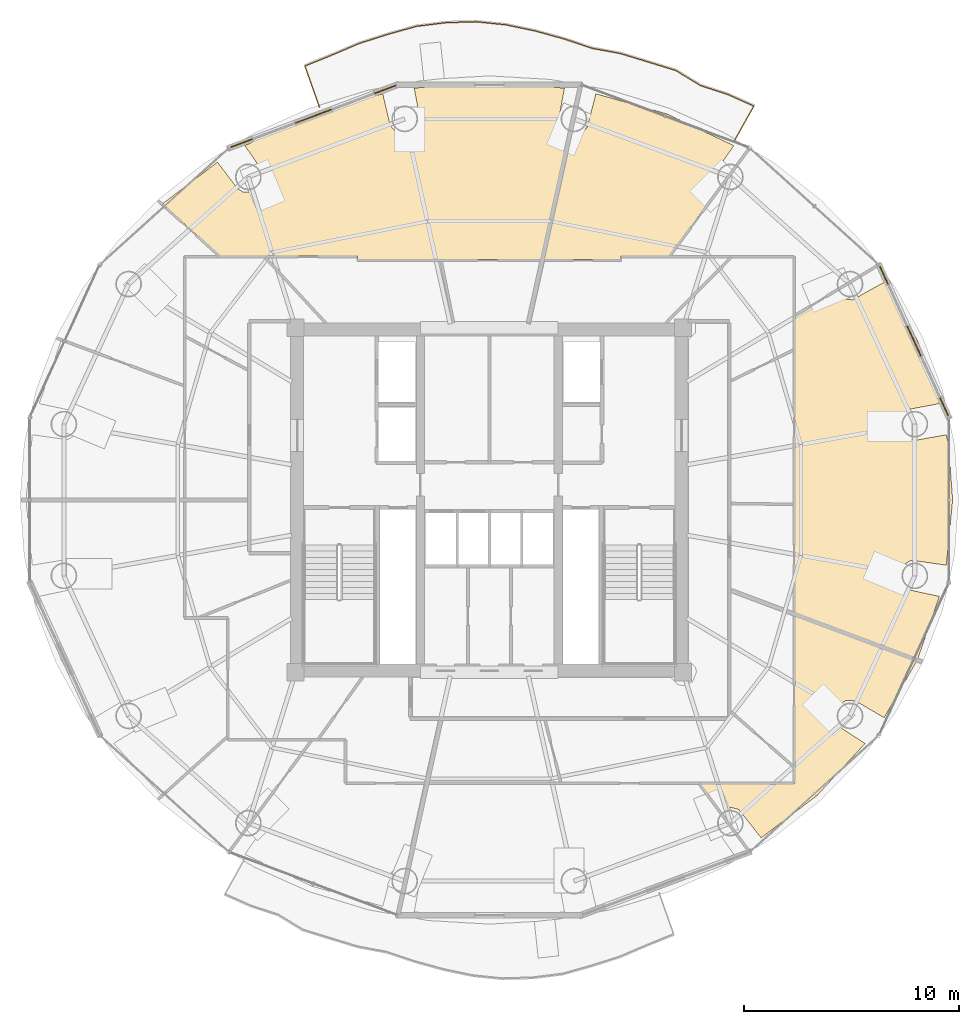
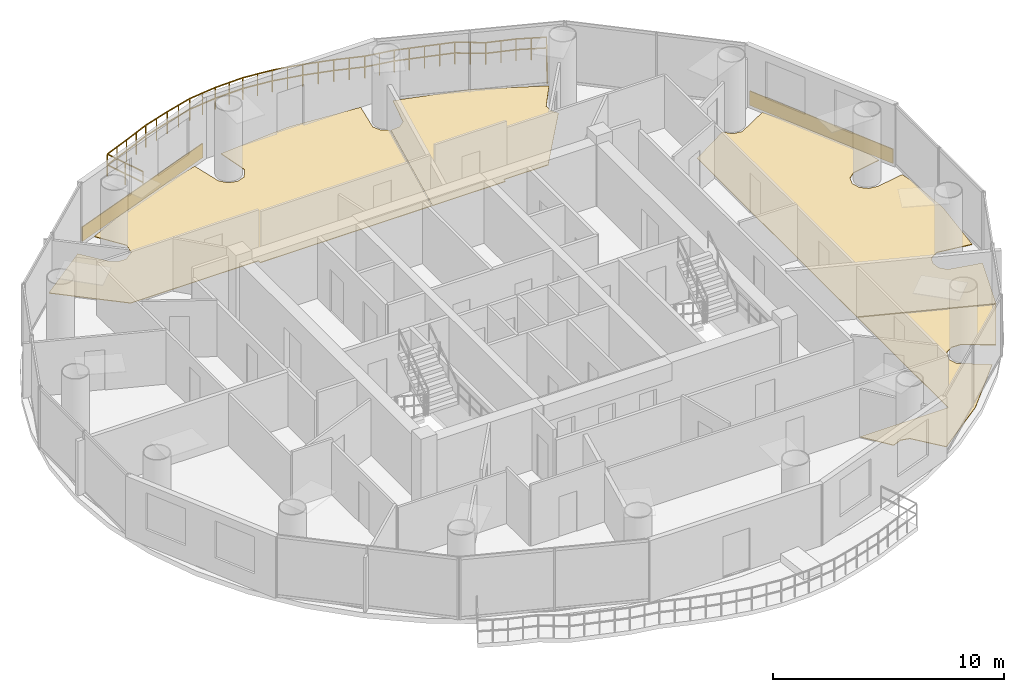
# One storey, part 26 of 26: 6 coverings, 1 railing.
"""IFC4 building model written with IfcOpenShell, lengths in metres."""

from ifc_helpers import new_model, si_unit, direction, frame, origin, origin_2d, place, context, subcontext, project, spatial, polyline, rectangle, outline, extrude, source, transform, mapped, material, layer, layer_set, type_object, element, save


model = new_model("IFC4")

# Units and contexts
model_context = context("Model", 3, precision=1e-05, world=origin(), true_north=direction((-0.2419218956, 0.970295726276)))
body_context = subcontext(model_context, "Body", "Model", "MODEL_VIEW")
ifc_project = project(units=[si_unit("LENGTHUNIT", "METRE"), si_unit("AREAUNIT", "SQUARE_METRE"), si_unit("VOLUMEUNIT", "CUBIC_METRE"), si_unit("PLANEANGLEUNIT", "RADIAN"), si_unit("MASSUNIT", "GRAM", prefix="KILO")], contexts=[model_context])

# Site, building, storey
site_placement = place(None, origin())
site = spatial("IfcSite", under=ifc_project, at=site_placement, CompositionType="ELEMENT")
building_placement = place(site_placement, origin())
building = spatial("IfcBuilding", under=site, at=building_placement, Name="Cobrevalo Terracotta Tower", CompositionType="ELEMENT")
storey_placement = place(building_placement, frame((0.0, 0.0, 239.300048828125)))
storey = spatial("IfcBuildingStorey", under=building, at=storey_placement, Name="L63", CompositionType="ELEMENT", Elevation=239.300048828125)

# Railing
ifc_material_1 = material(Name="Laminated structural glass and stainless steel", Category="steel")
railing_type = type_object("IfcRailingType", Name="Balcony lobe structural glass & terracotta-cap balustrade 1180 mm", PredefinedType="BALUSTRADE", material=ifc_material_1)
railing_placement = place(storey_placement, frame((49.377197265625, 43.467529296875, 0.0)))
element("IfcRailing", 1, at=railing_placement, inside=storey, type_object=railing_type, Name="L63 spiralling balcony lobe balustrade 1", PredefinedType="BALUSTRADE", context=body_context, shape_type="SweptSolid", body=[
    extrude(rectangle(XDim=0.048095703125, YDim=0.048095703125, at=origin_2d()), frame((0.0, 0.0, 1.15576171875), z_axis=(0.487240940684, 0.873267579681, 0.0), x_axis=(-0.873267579681, 0.487240940684, 0.0)), (0.0, 0.0, 1.0), 1.866943359375),
    extrude(rectangle(XDim=0.048095703125, YDim=0.048095703125, at=origin_2d()), frame((0.0, 0.0, 0.58984375), z_axis=(0.487240940684, 0.873267579681, 0.0), x_axis=(-0.873267579681, 0.487240940684, 0.0)), (0.0, 0.0, 1.0), 1.866943359375),
    extrude(rectangle(XDim=0.048095703125, YDim=0.048095703125, at=origin_2d()), frame((0.90966796875, 1.63037109375, 1.15576171875), z_axis=(-0.913103587946, 0.407727651357, 0.0), x_axis=(-0.407727651357, -0.913103587946, 0.0)), (0.0, 0.0, 1.0), 1.3251953125),
    extrude(rectangle(XDim=0.048095703125, YDim=0.048095703125, at=origin_2d()), frame((0.90966796875, 1.63037109375, 0.58984375), z_axis=(-0.913103587946, 0.407727651357, 0.0), x_axis=(-0.407727651357, -0.913103587946, 0.0)), (0.0, 0.0, 1.0), 1.3251953125),
    extrude(rectangle(XDim=0.048095703125, YDim=0.048095703125, at=origin_2d()), frame((-0.30029296875, 2.170654296875, 1.15576171875), z_axis=(-0.950714582624, 0.310067383622, 0.0), x_axis=(-0.310067383622, -0.950714582624, 0.0)), (0.0, 0.0, 1.0), 1.3330078125),
    extrude(rectangle(XDim=0.048095703125, YDim=0.048095703125, at=origin_2d()), frame((-0.30029296875, 2.170654296875, 0.58984375), z_axis=(-0.950714582624, 0.310067383622, 0.0), x_axis=(-0.310067383622, -0.950714582624, 0.0)), (0.0, 0.0, 1.0), 1.3330078125),
    extrude(rectangle(XDim=0.048095703125, YDim=0.048095703125, at=origin_2d()), frame((-1.567626953125, 2.583984375, 1.15576171875), z_axis=(-0.853760808608, 0.520665422019, 0.0), x_axis=(-0.520665422019, -0.853760808608, 0.0)), (0.0, 0.0, 1.0), 1.34716796875),
    extrude(rectangle(XDim=0.048095703125, YDim=0.048095703125, at=origin_2d()), frame((-1.567626953125, 2.583984375, 0.58984375), z_axis=(-0.853760808608, 0.520665422019, 0.0), x_axis=(-0.520665422019, -0.853760808608, 0.0)), (0.0, 0.0, 1.0), 1.34716796875),
    extrude(rectangle(XDim=0.048095703125, YDim=0.048095703125, at=origin_2d()), frame((-2.7177734375, 3.285400390625, 1.15576171875), z_axis=(-0.955676657442, 0.294418284794, 0.0), x_axis=(-0.294418284794, -0.955676657442, 0.0)), (0.0, 0.0, 1.0), 1.341796875),
    extrude(rectangle(XDim=0.048095703125, YDim=0.048095703125, at=origin_2d()), frame((-2.7177734375, 3.285400390625, 0.58984375), z_axis=(-0.955676657442, 0.294418284794, 0.0), x_axis=(-0.294418284794, -0.955676657442, 0.0)), (0.0, 0.0, 1.0), 1.341796875),
    extrude(rectangle(XDim=0.048095703125, YDim=0.048095703125, at=origin_2d()), frame((-4.0, 3.680419921875, 1.15576171875), z_axis=(-0.956691517082, 0.291103660478, 0.0), x_axis=(-0.291103660478, -0.956691517082, 0.0)), (0.0, 0.0, 1.0), 1.341064453125),
    extrude(rectangle(XDim=0.048095703125, YDim=0.048095703125, at=origin_2d()), frame((-4.0, 3.680419921875, 0.58984375), z_axis=(-0.956691517082, 0.291103660478, 0.0), x_axis=(-0.291103660478, -0.956691517082, 0.0)), (0.0, 0.0, 1.0), 1.341064453125),
    extrude(rectangle(XDim=0.048095703125, YDim=0.048095703125, at=origin_2d()), frame((-5.282958984375, 4.07080078125, 1.15576171875), z_axis=(-0.983249550463, 0.182264427449, 0.0), x_axis=(-0.182264427449, -0.983249550463, 0.0)), (0.0, 0.0, 1.0), 1.347412109375),
    extrude(rectangle(XDim=0.048095703125, YDim=0.048095703125, at=origin_2d()), frame((-5.282958984375, 4.07080078125, 0.58984375), z_axis=(-0.983249550463, 0.182264427449, 0.0), x_axis=(-0.182264427449, -0.983249550463, 0.0)), (0.0, 0.0, 1.0), 1.347412109375),
    extrude(rectangle(XDim=0.048095703125, YDim=0.048095703125, at=origin_2d()), frame((-6.60791015625, 4.31640625, 1.15576171875), z_axis=(-0.94830865375, 0.317349487509, 0.0), x_axis=(-0.317349487509, -0.94830865375, 0.0)), (0.0, 0.0, 1.0), 1.370849609375),
    extrude(rectangle(XDim=0.048095703125, YDim=0.048095703125, at=origin_2d()), frame((-6.60791015625, 4.31640625, 0.58984375), z_axis=(-0.94830865375, 0.317349487509, 0.0), x_axis=(-0.317349487509, -0.94830865375, 0.0)), (0.0, 0.0, 1.0), 1.370849609375),
    extrude(rectangle(XDim=0.048095703125, YDim=0.048095703125, at=origin_2d()), frame((-7.907958984375, 4.75146484375, 1.15576171875), z_axis=(-0.963911423189, 0.266223154976, 0.0), x_axis=(-0.266223154976, -0.963911423189, 0.0)), (0.0, 0.0, 1.0), 1.3828125),
    extrude(rectangle(XDim=0.048095703125, YDim=0.048095703125, at=origin_2d()), frame((-7.907958984375, 4.75146484375, 0.58984375), z_axis=(-0.963911423189, 0.266223154976, 0.0), x_axis=(-0.266223154976, -0.963911423189, 0.0)), (0.0, 0.0, 1.0), 1.3828125),
    extrude(rectangle(XDim=0.048095703125, YDim=0.048095703125, at=origin_2d()), frame((-9.240966796875, 5.11962890625, 1.15576171875), z_axis=(-0.978749811082, 0.205058058382, 0.0), x_axis=(-0.205058058382, -0.978749811082, 0.0)), (0.0, 0.0, 1.0), 1.395263671875),
    extrude(rectangle(XDim=0.048095703125, YDim=0.048095703125, at=origin_2d()), frame((-9.240966796875, 5.11962890625, 0.58984375), z_axis=(-0.978749811082, 0.205058058382, 0.0), x_axis=(-0.205058058382, -0.978749811082, 0.0)), (0.0, 0.0, 1.0), 1.395263671875),
    extrude(rectangle(XDim=0.048095703125, YDim=0.048095703125, at=origin_2d()), frame((-10.606689453125, 5.40576171875, 1.15576171875), z_axis=(-0.994784174932, 0.102002182842, 0.0), x_axis=(-0.102002182842, -0.994784174932, 0.0)), (0.0, 0.0, 1.0), 1.39306640625),
    extrude(rectangle(XDim=0.048095703125, YDim=0.048095703125, at=origin_2d()), frame((-10.606689453125, 5.40576171875, 0.58984375), z_axis=(-0.994784174932, 0.102002182842, 0.0), x_axis=(-0.102002182842, -0.994784174932, 0.0)), (0.0, 0.0, 1.0), 1.39306640625),
    extrude(rectangle(XDim=0.048095703125, YDim=0.048095703125, at=origin_2d()), frame((-11.992431640625, 5.5478515625, 1.15576171875), z_axis=(-0.999545510344, -0.030145857931, 0.0), x_axis=(0.030145857931, -0.999545510344, 0.0)), (0.0, 0.0, 1.0), 1.39306640625),
    extrude(rectangle(XDim=0.048095703125, YDim=0.048095703125, at=origin_2d()), frame((-11.992431640625, 5.5478515625, 0.58984375), z_axis=(-0.999545510344, -0.030145857931, 0.0), x_axis=(0.030145857931, -0.999545510344, 0.0)), (0.0, 0.0, 1.0), 1.39306640625),
    extrude(rectangle(XDim=0.048095703125, YDim=0.048095703125, at=origin_2d()), frame((-13.384765625, 5.505859375, 1.15576171875), z_axis=(-0.992374815734, -0.123256744629, 0.0), x_axis=(0.123256744629, -0.992374815734, 0.0)), (0.0, 0.0, 1.0), 1.390380859375),
    extrude(rectangle(XDim=0.048095703125, YDim=0.048095703125, at=origin_2d()), frame((-13.384765625, 5.505859375, 0.58984375), z_axis=(-0.992374815734, -0.123256744629, 0.0), x_axis=(0.123256744629, -0.992374815734, 0.0)), (0.0, 0.0, 1.0), 1.390380859375),
    extrude(rectangle(XDim=0.048095703125, YDim=0.048095703125, at=origin_2d()), frame((-14.7646484375, 5.33447265625, 1.15576171875), z_axis=(-0.963062212099, -0.269278992177, 0.0), x_axis=(0.269278992177, -0.963062212099, 0.0)), (0.0, 0.0, 1.0), 1.3935546875),
    extrude(rectangle(XDim=0.048095703125, YDim=0.048095703125, at=origin_2d()), frame((-14.7646484375, 5.33447265625, 0.58984375), z_axis=(-0.963062212099, -0.269278992177, 0.0), x_axis=(0.269278992177, -0.963062212099, 0.0)), (0.0, 0.0, 1.0), 1.3935546875),
    extrude(rectangle(XDim=0.048095703125, YDim=0.048095703125, at=origin_2d()), frame((-16.106689453125, 4.959228515625, 1.15576171875), z_axis=(-0.95285156699, -0.303436799491, 0.0), x_axis=(0.303436799491, -0.95285156699, 0.0)), (0.0, 0.0, 1.0), 1.383056640625),
    extrude(rectangle(XDim=0.048095703125, YDim=0.048095703125, at=origin_2d()), frame((-16.106689453125, 4.959228515625, 0.58984375), z_axis=(-0.95285156699, -0.303436799491, 0.0), x_axis=(0.303436799491, -0.95285156699, 0.0)), (0.0, 0.0, 1.0), 1.383056640625),
    extrude(rectangle(XDim=0.048095703125, YDim=0.048095703125, at=origin_2d()), frame((-17.424560546875, 4.53955078125, 1.15576171875), z_axis=(-0.920025165465, -0.391859279476, 0.0), x_axis=(0.391859279476, -0.920025165465, 0.0)), (0.0, 0.0, 1.0), 1.373779296875),
    extrude(rectangle(XDim=0.048095703125, YDim=0.048095703125, at=origin_2d()), frame((-17.424560546875, 4.53955078125, 0.58984375), z_axis=(-0.920025165465, -0.391859279476, 0.0), x_axis=(0.391859279476, -0.920025165465, 0.0)), (0.0, 0.0, 1.0), 1.373779296875),
    extrude(rectangle(XDim=0.048095703125, YDim=0.048095703125, at=origin_2d()), frame((-18.6884765625, 4.001220703125, 1.15576171875), z_axis=(-0.926867853362, -0.375387776046, 0.0), x_axis=(0.375387776046, -0.926867853362, 0.0)), (0.0, 0.0, 1.0), 1.357421875),
    extrude(rectangle(XDim=0.048095703125, YDim=0.048095703125, at=origin_2d()), frame((-18.6884765625, 4.001220703125, 0.58984375), z_axis=(-0.926867853362, -0.375387776046, 0.0), x_axis=(0.375387776046, -0.926867853362, 0.0)), (0.0, 0.0, 1.0), 1.357421875),
    extrude(rectangle(XDim=0.048095703125, YDim=0.048095703125, at=origin_2d()), frame((-19.946533203125, 3.49169921875, 1.15576171875), z_axis=(0.333310659814, -0.942817057575, 0.0), x_axis=(0.942817057575, 0.333310659814, 0.0)), (0.0, 0.0, 1.0), 2.030517578125),
    extrude(rectangle(XDim=0.048095703125, YDim=0.048095703125, at=origin_2d()), frame((-19.946533203125, 3.49169921875, 0.58984375), z_axis=(0.333310659814, -0.942817057575, 0.0), x_axis=(0.942817057575, 0.333310659814, 0.0)), (0.0, 0.0, 1.0), 2.030517578125),
    extrude(rectangle(XDim=0.0419921875, YDim=0.0419921875, at=origin_2d()), origin(), (0.0, 0.0, 1.0), 1.1318359375),
    extrude(rectangle(XDim=0.0419921875, YDim=0.0419921875, at=origin_2d()), frame((0.454833984375, 0.815185546875, 0.0)), (0.0, 0.0, 1.0), 1.1318359375),
    extrude(rectangle(XDim=0.0419921875, YDim=0.0419921875, at=origin_2d()), frame((0.90966796875, 1.63037109375, 0.0)), (0.0, 0.0, 1.0), 1.1318359375),
    extrude(rectangle(XDim=0.0419921875, YDim=0.0419921875, at=origin_2d()), frame((0.3046875, 1.900390625, 0.0)), (0.0, 0.0, 1.0), 1.1318359375),
    extrude(rectangle(XDim=0.0419921875, YDim=0.0419921875, at=origin_2d()), frame((-0.30029296875, 2.170654296875, 0.0)), (0.0, 0.0, 1.0), 1.1318359375),
    extrude(rectangle(XDim=0.0419921875, YDim=0.0419921875, at=origin_2d()), frame((-0.93408203125, 2.37744140625, 0.0)), (0.0, 0.0, 1.0), 1.1318359375),
    extrude(rectangle(XDim=0.0419921875, YDim=0.0419921875, at=origin_2d()), frame((-1.567626953125, 2.583984375, 0.0)), (0.0, 0.0, 1.0), 1.1318359375),
    extrude(rectangle(XDim=0.0419921875, YDim=0.0419921875, at=origin_2d()), frame((-2.142578125, 2.9345703125, 0.0)), (0.0, 0.0, 1.0), 1.1318359375),
    extrude(rectangle(XDim=0.0419921875, YDim=0.0419921875, at=origin_2d()), frame((-2.7177734375, 3.285400390625, 0.0)), (0.0, 0.0, 1.0), 1.1318359375),
    extrude(rectangle(XDim=0.0419921875, YDim=0.0419921875, at=origin_2d()), frame((-3.35888671875, 3.48291015625, 0.0)), (0.0, 0.0, 1.0), 1.1318359375),
    extrude(rectangle(XDim=0.0419921875, YDim=0.0419921875, at=origin_2d()), frame((-4.0, 3.680419921875, 0.0)), (0.0, 0.0, 1.0), 1.1318359375),
    extrude(rectangle(XDim=0.0419921875, YDim=0.0419921875, at=origin_2d()), frame((-4.6416015625, 3.87548828125, 0.0)), (0.0, 0.0, 1.0), 1.1318359375),
    extrude(rectangle(XDim=0.0419921875, YDim=0.0419921875, at=origin_2d()), frame((-5.282958984375, 4.07080078125, 0.0)), (0.0, 0.0, 1.0), 1.1318359375),
    extrude(rectangle(XDim=0.0419921875, YDim=0.0419921875, at=origin_2d()), frame((-5.9453125, 4.193603515625, 0.0)), (0.0, 0.0, 1.0), 1.1318359375),
    extrude(rectangle(XDim=0.0419921875, YDim=0.0419921875, at=origin_2d()), frame((-6.60791015625, 4.31640625, 0.0)), (0.0, 0.0, 1.0), 1.1318359375),
    extrude(rectangle(XDim=0.0419921875, YDim=0.0419921875, at=origin_2d()), frame((-7.2578125, 4.533935546875, 0.0)), (0.0, 0.0, 1.0), 1.1318359375),
    extrude(rectangle(XDim=0.0419921875, YDim=0.0419921875, at=origin_2d()), frame((-7.907958984375, 4.75146484375, 0.0)), (0.0, 0.0, 1.0), 1.1318359375),
    extrude(rectangle(XDim=0.0419921875, YDim=0.0419921875, at=origin_2d()), frame((-8.574462890625, 4.935546875, 0.0)), (0.0, 0.0, 1.0), 1.1318359375),
    extrude(rectangle(XDim=0.0419921875, YDim=0.0419921875, at=origin_2d()), frame((-9.240966796875, 5.11962890625, 0.0)), (0.0, 0.0, 1.0), 1.1318359375),
    extrude(rectangle(XDim=0.0419921875, YDim=0.0419921875, at=origin_2d()), frame((-9.923828125, 5.2626953125, 0.0)), (0.0, 0.0, 1.0), 1.1318359375),
    extrude(rectangle(XDim=0.0419921875, YDim=0.0419921875, at=origin_2d()), frame((-10.606689453125, 5.40576171875, 0.0)), (0.0, 0.0, 1.0), 1.1318359375),
    extrude(rectangle(XDim=0.0419921875, YDim=0.0419921875, at=origin_2d()), frame((-11.299560546875, 5.476806640625, 0.0)), (0.0, 0.0, 1.0), 1.1318359375),
    extrude(rectangle(XDim=0.0419921875, YDim=0.0419921875, at=origin_2d()), frame((-11.992431640625, 5.5478515625, 0.0)), (0.0, 0.0, 1.0), 1.1318359375),
    extrude(rectangle(XDim=0.0419921875, YDim=0.0419921875, at=origin_2d()), frame((-12.6884765625, 5.52685546875, 0.0)), (0.0, 0.0, 1.0), 1.1318359375),
    extrude(rectangle(XDim=0.0419921875, YDim=0.0419921875, at=origin_2d()), frame((-13.384765625, 5.505859375, 0.0)), (0.0, 0.0, 1.0), 1.1318359375),
    extrude(rectangle(XDim=0.0419921875, YDim=0.0419921875, at=origin_2d()), frame((-14.07470703125, 5.420166015625, 0.0)), (0.0, 0.0, 1.0), 1.1318359375),
    extrude(rectangle(XDim=0.0419921875, YDim=0.0419921875, at=origin_2d()), frame((-14.7646484375, 5.33447265625, 0.0)), (0.0, 0.0, 1.0), 1.1318359375),
    extrude(rectangle(XDim=0.0419921875, YDim=0.0419921875, at=origin_2d()), frame((-15.435546875, 5.14697265625, 0.0)), (0.0, 0.0, 1.0), 1.1318359375),
    extrude(rectangle(XDim=0.0419921875, YDim=0.0419921875, at=origin_2d()), frame((-16.106689453125, 4.959228515625, 0.0)), (0.0, 0.0, 1.0), 1.1318359375),
    extrude(rectangle(XDim=0.0419921875, YDim=0.0419921875, at=origin_2d()), frame((-16.765625, 4.74951171875, 0.0)), (0.0, 0.0, 1.0), 1.1318359375),
    extrude(rectangle(XDim=0.0419921875, YDim=0.0419921875, at=origin_2d()), frame((-17.424560546875, 4.53955078125, 0.0)), (0.0, 0.0, 1.0), 1.1318359375),
    extrude(rectangle(XDim=0.0419921875, YDim=0.0419921875, at=origin_2d()), frame((-18.056640625, 4.2705078125, 0.0)), (0.0, 0.0, 1.0), 1.1318359375),
    extrude(rectangle(XDim=0.0419921875, YDim=0.0419921875, at=origin_2d()), frame((-18.6884765625, 4.001220703125, 0.0)), (0.0, 0.0, 1.0), 1.1318359375),
    extrude(rectangle(XDim=0.0419921875, YDim=0.0419921875, at=origin_2d()), frame((-19.3173828125, 3.74658203125, 0.0)), (0.0, 0.0, 1.0), 1.1318359375),
    extrude(rectangle(XDim=0.0419921875, YDim=0.0419921875, at=origin_2d()), frame((-19.946533203125, 3.49169921875, 0.0)), (0.0, 0.0, 1.0), 1.1318359375),
    extrude(rectangle(XDim=0.0419921875, YDim=0.0419921875, at=origin_2d()), frame((-19.608154296875, 2.53466796875, 0.0)), (0.0, 0.0, 1.0), 1.1318359375),
    extrude(rectangle(XDim=0.0419921875, YDim=0.0419921875, at=origin_2d()), frame((-19.269775390625, 1.577392578125, 0.0)), (0.0, 0.0, 1.0), 1.1318359375),
])

# Coverings
ifc_material_2 = material(Name="Engineered Brazilian hardwood flooring", Category="wood")
ifc_layer_1 = layer(ifc_material_2, 0.028076171875)
ifc_layer_set_1 = layer_set([ifc_layer_1], Name="Engineered Brazilian hardwood flooring")
covering_type_1 = type_object("IfcCoveringType", Name="Engineered Hardwood Suite Flooring 28", PredefinedType="FLOORING", material=ifc_layer_set_1)
covering_1_placement = place(storey_placement, origin())
element("IfcCovering", 2, at=covering_1_placement, inside=storey, type_object=covering_type_1, Name="Flat L63A Penthouse Living and Dining Room floor finish", PredefinedType="FLOORING", context=body_context, shape_type="SweptSolid", body=[
    extrude(outline(polyline([(54.096435546875, 36.495849609375), (54.437255859375, 36.1591796875), (54.8623046875, 36.095947265625), (56.337890625, 36.91357421875), (57.882080078125, 34.23095703125), (58.786865234375, 31.82568359375), (58.90771484375, 31.277099609375), (57.493408203125, 31.0107421875), (57.15576171875, 30.744873046875), (57.02294921875, 30.336181640625), (57.139404296875, 29.922607421875), (57.466064453125, 29.643310546875), (57.8916015625, 29.5927734375), (59.2265625, 29.83056640625), (59.3359375, 29.33447265625), (59.52001953125, 26.800048828125), (59.2265625, 23.76953125), (57.60400390625, 24.00146484375), (57.229248046875, 23.791259765625), (57.0341796875, 23.408447265625), (57.0849609375, 22.981689453125), (57.364013671875, 22.655029296875), (58.90771484375, 22.322998046875), (57.885498046875, 19.3779296875), (52.175048828125, 21.515380859375), (52.175048828125, 35.335693359375), (54.096435546875, 36.495849609375)])), origin(), (0.0, 0.0, 1.0), 0.030029296875),
])
covering_2_placement = place(storey_placement, origin())
element("IfcCovering", 3, at=covering_2_placement, inside=storey, type_object=covering_type_1, Name="Flat L63A Penthouse Family Lounge floor finish", PredefinedType="FLOORING", context=body_context, shape_type="SweptSolid", body=[
    extrude(outline(polyline([(44.125, 37.965087890625), (40.47802734375, 37.965087890625), (41.759765625, 43.78759765625), (42.198974609375, 43.813232421875), (42.537109375, 44.078369140625), (42.9482421875, 45.669921875), (46.236083984375, 44.741455078125), (49.3544921875, 43.259765625), (48.477294921875, 41.98974609375), (48.497314453125, 41.560546875), (48.681396484375, 41.279541015625), (46.348876953125, 38.125), (44.125, 38.125), (44.125, 37.965087890625)])), origin(), (0.0, 0.0, 1.0), 0.030029296875),
])
covering_3_placement = place(storey_placement, origin())
element("IfcCovering", 4, at=covering_3_placement, inside=storey, type_object=covering_type_1, Name="Flat L63B Penthouse Living and Dining Room floor finish", PredefinedType="FLOORING", context=body_context, shape_type="SweptSolid", body=[
    extrude(outline(polyline([(25.3720703125, 42.49169921875), (26.309814453125, 41.25830078125), (26.557861328125, 41.110595703125), (26.987060546875, 41.090576171875), (27.441162109375, 41.42919921875), (27.522705078125, 41.98974609375), (26.6455078125, 43.259765625), (29.763916015625, 44.741455078125), (33.0517578125, 45.669921875), (33.3916015625, 44.204833984375), (33.67138671875, 43.87890625), (34.08544921875, 43.76318359375), (34.49365234375, 43.89697265625), (34.7978515625, 44.375), (34.509765625, 45.931640625), (38.0, 46.219970703125), (41.490234375, 45.931640625), (41.2021484375, 44.375), (41.396240234375, 43.991455078125), (41.720947265625, 43.797119140625), (40.43701171875, 37.965087890625), (31.875, 37.965087890625), (31.875, 38.125), (25.49755859375, 38.125), (22.810302734375, 40.553466796875), (25.3720703125, 42.49169921875)])), origin(), (0.0, 0.0, 1.0), 0.030029296875),
])
covering_4_placement = place(storey_placement, origin())
element("IfcCovering", 5, at=covering_4_placement, inside=storey, type_object=covering_type_1, Name="Flat L63D Master Bedroom floor finish", PredefinedType="FLOORING", context=body_context, shape_type="SweptSolid", body=[
    extrude(outline(polyline([(53.217529296875, 13.068603515625), (50.6279296875, 11.108154296875), (49.573486328125, 12.427734375), (49.156494140625, 12.531005859375), (48.7109375, 12.34765625), (47.7666015625, 13.625), (52.175048828125, 13.625), (52.175048828125, 21.47265625), (57.867431640625, 19.342041015625), (56.337890625, 16.6865234375), (55.0029296875, 17.468994140625), (54.57373046875, 17.48974609375), (54.205322265625, 17.2685546875), (54.014892578125, 16.735107421875), (54.159912109375, 16.330810546875), (55.453125, 15.4912109375), (53.217529296875, 13.068603515625)])), origin(), (0.0, 0.0, 1.0), 0.030029296875),
])
ifc_material_3 = material(Name="Glazed terracotta facade cladding tile", Category="masonry")
ifc_layer_2 = layer(ifc_material_3, 0.044921875)
ifc_layer_set_2 = layer_set([ifc_layer_2], Name="Glazed terracotta facade cladding tile")
covering_type_2 = type_object("IfcCoveringType", Name="Architectural terracotta rainscreen spandrel cladding 45 mm", PredefinedType="CLADDING", material=ifc_layer_set_2)
shared_shape_1 = source(origin(), body_context, "Body", "SweptSolid", [
    extrude(rectangle(XDim=7.60009765625, YDim=0.044921875, at=origin_2d()), origin(), (0.0, 0.0, 1.0), 0.760009765625),
])
covering_5_placement = place(storey_placement, frame((57.726318359375, 34.182861328125, 0.0400390625), z_axis=(0.0, 0.0, 1.0), x_axis=(-0.416731425355, 0.909029657999, 0.0)))
element("IfcCovering", 6, at=covering_5_placement, inside=storey, type_object=covering_type_2, Name="L63 terracotta spandrel cladding S01", PredefinedType="CLADDING", context=body_context, shape_type="MappedRepresentation", body=[
    mapped(shared_shape_1, transform((0.0, 0.0, 0.0), scale=1.0)),
])
shared_shape_2 = source(origin(), body_context, "Body", "SweptSolid", [
    extrude(rectangle(XDim=8.17919921875, YDim=0.044921875, at=origin_2d()), origin(), (0.0, 0.0, 1.0), 0.760009765625),
])
covering_6_placement = place(storey_placement, frame((29.8291015625, 44.62353515625, 0.0400390625), z_axis=(0.0, 0.0, 1.0), x_axis=(-0.936557839879, -0.350513070458, 0.0)))
element("IfcCovering", 7, at=covering_6_placement, inside=storey, type_object=covering_type_2, Name="L63 terracotta spandrel cladding S05", PredefinedType="CLADDING", context=body_context, shape_type="MappedRepresentation", body=[
    mapped(shared_shape_2, transform((0.0, 0.0, 0.0), scale=1.0)),
])

save(model, "model.ifc")
